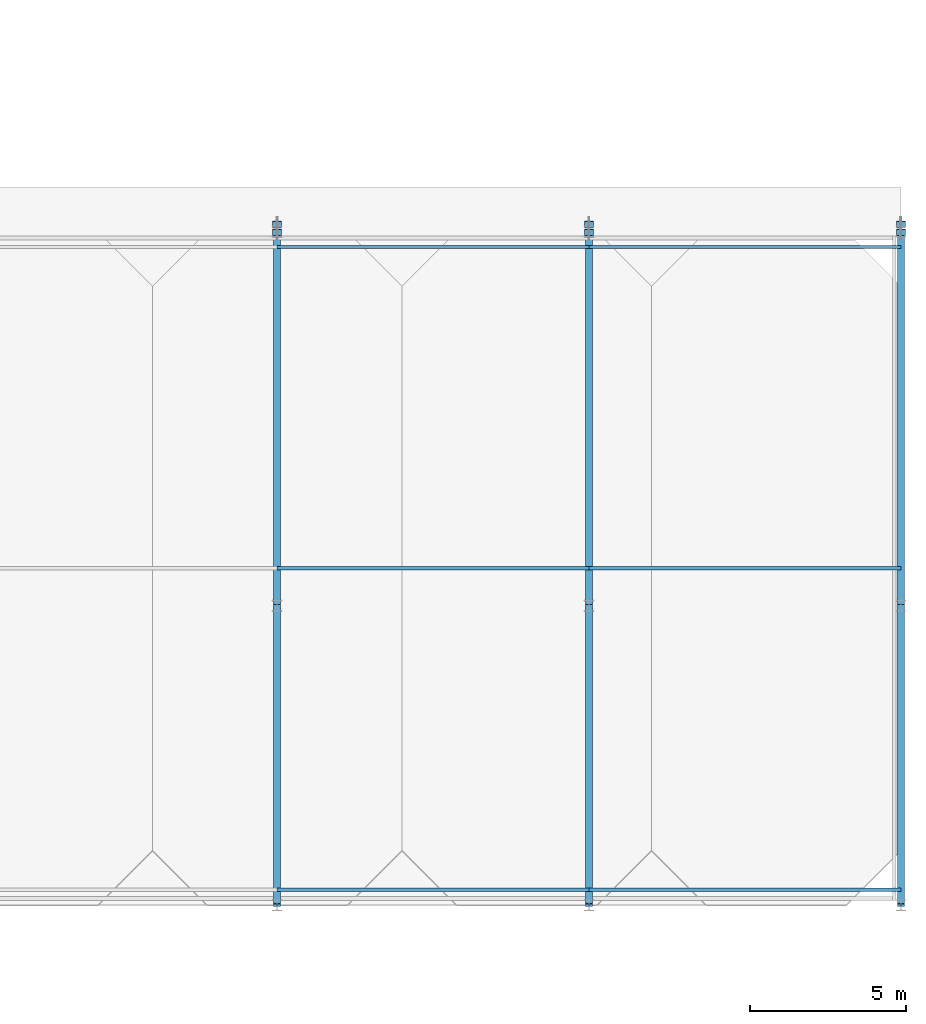
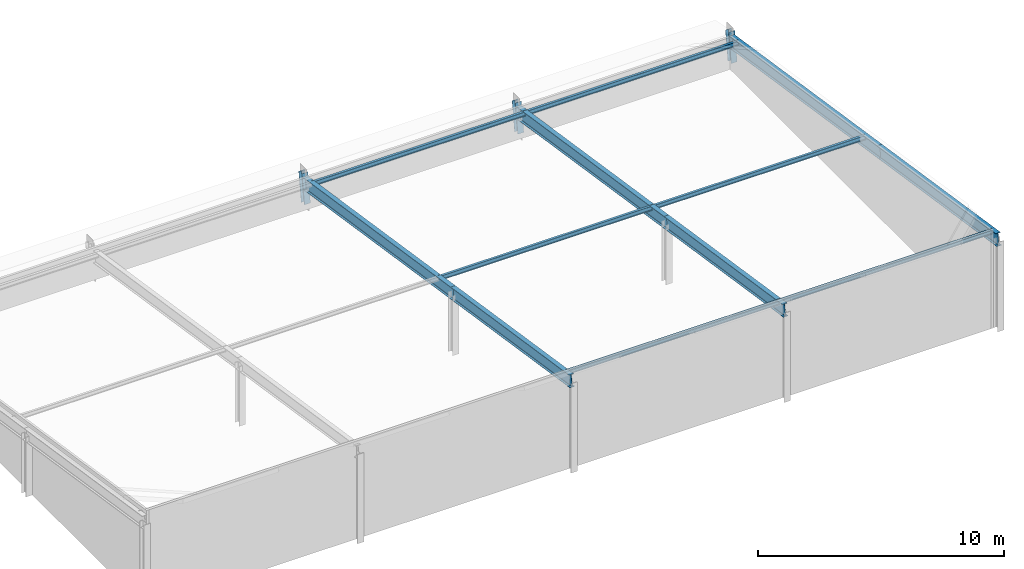
# One storey, part 58 of 89: 9 members, 6 beams.
"""IFC4 building model written with IfcOpenShell, lengths in metres."""

from ifc_helpers import new_model, si_unit, direction, frame, origin, origin_2d, place, context, subcontext, project, spatial, i_section, extrude, material, material_profile, profile_set, type_object, element, save


model = new_model("IFC4")

# Units and contexts
model_context = context("Model", 3, precision=1e-05, world=origin(), true_north=direction((0.0, 1.0)))
body_context = subcontext(model_context, "Body", "Model", "MODEL_VIEW")
ifc_project = project(units=[si_unit("LENGTHUNIT", "METRE"), si_unit("AREAUNIT", "SQUARE_METRE"), si_unit("VOLUMEUNIT", "CUBIC_METRE"), si_unit("PLANEANGLEUNIT", "RADIAN"), si_unit("MASSUNIT", "GRAM", prefix="KILO")], contexts=[model_context])

# Site, building, storey
site_placement = place(None, origin())
site = spatial("IfcSite", under=ifc_project, at=site_placement, CompositionType="ELEMENT")
building_placement = place(site_placement, origin())
building = spatial("IfcBuilding", under=site, at=building_placement, Name="Zereglee Splitstone Museum", CompositionType="ELEMENT")
storey_placement = place(building_placement, frame((0.0, 0.0, 21.300048828125)))
storey = spatial("IfcBuildingStorey", under=building, at=storey_placement, Name="L04", CompositionType="ELEMENT", Elevation=21.300048828125)

# Members
ifc_material_1 = material(Name="Steel S355J2", Category="steel")
ifc_material_profile_1 = material_profile(ifc_material_1, i_section(OverallWidth=0.110107421875, OverallDepth=0.219970703125, WebThickness=0.005859375, FlangeThickness=0.00927734375, FilletRadius=0.011962890625, at=origin_2d()), Name="IPE 220")
ifc_profile_set_1 = profile_set([ifc_material_profile_1], Name="Steel S355J2")
member_type_1 = type_object("IfcMemberType", Name="PR-04", PredefinedType="PURLIN", material=ifc_profile_set_1)
for number, where, z_axis, x_axis, name in (
    (1, (195.199951171875, 0.5, 4.53564453125), (1.0, 0.0, 0.0), (0.0, 1.0, 0.0), "Roof Purlin RF-V3 (195.2-205.2)"),
    (2, (195.199951171875, 10.800048828125, 2.962158203125), (1.0, 0.0, 0.0), (0.0, 1.0, 0.0), "Roof Purlin RF-V3 (195.2-205.2)"),
    (3, (195.199951171875, 21.10009765625, 1.388427734375), (1.0, 0.0, 0.0), (0.0, 1.0, 0.0), "Roof Purlin RF-V3 (195.2-205.2)"),
    (4, (205.199951171875, 0.5, 4.53564453125), (1.0, 0.0, 0.0), (0.0, 1.0, 0.0), "Roof Purlin RF-V3 (205.2-215.2)"),
    (5, (205.199951171875, 10.800048828125, 2.962158203125), (1.0, 0.0, 0.0), (0.0, 1.0, 0.0), "Roof Purlin RF-V3 (205.2-215.2)"),
    (6, (205.199951171875, 21.10009765625, 1.388427734375), (1.0, 0.0, 0.0), (0.0, 1.0, 0.0), "Roof Purlin RF-V3 (205.2-215.2)"),
):
    element("IfcMember", number, at=place(storey_placement, frame(where, z_axis=z_axis, x_axis=x_axis)), inside=storey, type_object=member_type_1, Name=name, PredefinedType="PURLIN", context=body_context, shape_type="SweptSolid", body=[
        extrude(i_section(OverallWidth=0.110107421875, OverallDepth=0.219970703125, WebThickness=0.005859375, FlangeThickness=0.00927734375, FilletRadius=0.011962890625, at=origin_2d()), origin(), (0.0, 0.0, 1.0), 10.0),
    ])

# Beams
ifc_material_profile_2 = material_profile(ifc_material_1, i_section(OverallWidth=0.219970703125, OverallDepth=0.60009765625, WebThickness=0.011962890625, FlangeThickness=0.01904296875, FilletRadius=0.02392578125, at=origin_2d()), Name="IPE 600")
ifc_profile_set_2 = profile_set([ifc_material_profile_2], Name="Steel S355J2")
beam_type = type_object("IfcBeamType", Name="RR-01", PredefinedType="BEAM", material=ifc_profile_set_2)
beam_1_placement = place(storey_placement, frame((195.199951171875, 0.0, 4.423828125), z_axis=(0.0, 0.988531863411, -0.151012433333), x_axis=(-1.0, 0.0, 0.0)))
element("IfcBeam", 7, at=beam_1_placement, inside=storey, type_object=beam_type, Name="Sloped Roof Girder RF-V3 X=195.2 (0.0-9.6)", PredefinedType="BEAM", context=body_context, shape_type="SweptSolid", body=[
    extrude(i_section(OverallWidth=0.219970703125, OverallDepth=0.60009765625, WebThickness=0.011962890625, FlangeThickness=0.01904296875, FilletRadius=0.02392578125, at=origin_2d()), origin(), (0.0, 0.0, 1.0), 9.71142578125),
])
beam_2_placement = place(storey_placement, frame((195.199951171875, 9.60009765625, 2.957275390625), z_axis=(0.0, 0.988530883497, -0.151018847741), x_axis=(-1.0, 0.0, 0.0)))
element("IfcBeam", 8, at=beam_2_placement, inside=storey, type_object=beam_type, Name="Sloped Roof Girder RF-V3 X=195.2 (9.6-21.6)", PredefinedType="BEAM", context=body_context, shape_type="SweptSolid", body=[
    extrude(i_section(OverallWidth=0.219970703125, OverallDepth=0.60009765625, WebThickness=0.011962890625, FlangeThickness=0.01904296875, FilletRadius=0.02392578125, at=origin_2d()), origin(), (0.0, 0.0, 1.0), 12.13916015625),
])
beam_3_placement = place(storey_placement, frame((205.199951171875, 0.0, 4.423828125), z_axis=(0.0, 0.988531863411, -0.151012433333), x_axis=(-1.0, 0.0, 0.0)))
element("IfcBeam", 9, at=beam_3_placement, inside=storey, type_object=beam_type, Name="Sloped Roof Girder RF-V3 X=205.2 (0.0-9.6)", PredefinedType="BEAM", context=body_context, shape_type="SweptSolid", body=[
    extrude(i_section(OverallWidth=0.219970703125, OverallDepth=0.60009765625, WebThickness=0.011962890625, FlangeThickness=0.01904296875, FilletRadius=0.02392578125, at=origin_2d()), origin(), (0.0, 0.0, 1.0), 9.71142578125),
])
beam_4_placement = place(storey_placement, frame((205.199951171875, 9.60009765625, 2.957275390625), z_axis=(0.0, 0.988530883497, -0.151018847741), x_axis=(-1.0, 0.0, 0.0)))
element("IfcBeam", 10, at=beam_4_placement, inside=storey, type_object=beam_type, Name="Sloped Roof Girder RF-V3 X=205.2 (9.6-21.6)", PredefinedType="BEAM", context=body_context, shape_type="SweptSolid", body=[
    extrude(i_section(OverallWidth=0.219970703125, OverallDepth=0.60009765625, WebThickness=0.011962890625, FlangeThickness=0.01904296875, FilletRadius=0.02392578125, at=origin_2d()), origin(), (0.0, 0.0, 1.0), 12.13916015625),
])
beam_5_placement = place(storey_placement, frame((215.199951171875, 0.0, 4.423828125), z_axis=(0.0, 0.988531863411, -0.151012433333), x_axis=(-1.0, 0.0, 0.0)))
element("IfcBeam", 11, at=beam_5_placement, inside=storey, type_object=beam_type, Name="Sloped Roof Girder RF-V3 X=215.2 (0.0-9.6)", PredefinedType="BEAM", context=body_context, shape_type="SweptSolid", body=[
    extrude(i_section(OverallWidth=0.219970703125, OverallDepth=0.60009765625, WebThickness=0.011962890625, FlangeThickness=0.01904296875, FilletRadius=0.02392578125, at=origin_2d()), origin(), (0.0, 0.0, 1.0), 9.71142578125),
])
beam_6_placement = place(storey_placement, frame((215.199951171875, 9.60009765625, 2.957275390625), z_axis=(0.0, 0.988530883497, -0.151018847741), x_axis=(-1.0, 0.0, 0.0)))
element("IfcBeam", 12, at=beam_6_placement, inside=storey, type_object=beam_type, Name="Sloped Roof Girder RF-V3 X=215.2 (9.6-21.6)", PredefinedType="BEAM", context=body_context, shape_type="SweptSolid", body=[
    extrude(i_section(OverallWidth=0.219970703125, OverallDepth=0.60009765625, WebThickness=0.011962890625, FlangeThickness=0.01904296875, FilletRadius=0.02392578125, at=origin_2d()), origin(), (0.0, 0.0, 1.0), 12.13916015625),
])

# Members
ifc_material_2 = material(Name="Steel S355J2 architectural chhajja corbel", Category="steel")
ifc_material_profile_3 = material_profile(ifc_material_2, i_section(OverallWidth=0.280029296875, OverallDepth=0.280029296875, WebThickness=0.010498046875, FlangeThickness=0.01806640625, FilletRadius=0.02392578125, at=origin_2d()), Name="HE 280 B")
ifc_profile_set_3 = profile_set([ifc_material_profile_3], Name="Steel S355J2 architectural chhajja corbel")
member_type_2 = type_object("IfcMemberType", Name="FS-C1", PredefinedType="STRUT", material=ifc_profile_set_3)
for number, where, z_axis, x_axis, name in (
    (13, (195.199951171875, 21.60009765625, 0.14990234375), (0.0, 0.139419151054, 0.990233457483), (-1.0, 0.0, 0.0), "Mughal Chhajja Corbel Bracket RF-V3 X=195.2"),
    (14, (205.199951171875, 21.60009765625, 0.14990234375), (0.0, 0.139419151054, 0.990233457483), (-1.0, 0.0, 0.0), "Mughal Chhajja Corbel Bracket RF-V3 X=205.2"),
    (15, (215.199951171875, 21.60009765625, 0.14990234375), (0.0, 0.139419151054, 0.990233457483), (-1.0, 0.0, 0.0), "Mughal Chhajja Corbel Bracket RF-V3 X=215.2"),
):
    element("IfcMember", number, at=place(storey_placement, frame(where, z_axis=z_axis, x_axis=x_axis)), inside=storey, type_object=member_type_2, Name=name, PredefinedType="STRUT", context=body_context, shape_type="SweptSolid", body=[
        extrude(i_section(OverallWidth=0.280029296875, OverallDepth=0.280029296875, WebThickness=0.010498046875, FlangeThickness=0.01806640625, FilletRadius=0.02392578125, at=origin_2d()), origin(), (0.0, 0.0, 1.0), 1.43408203125),
    ])

save(model, "model.ifc")
